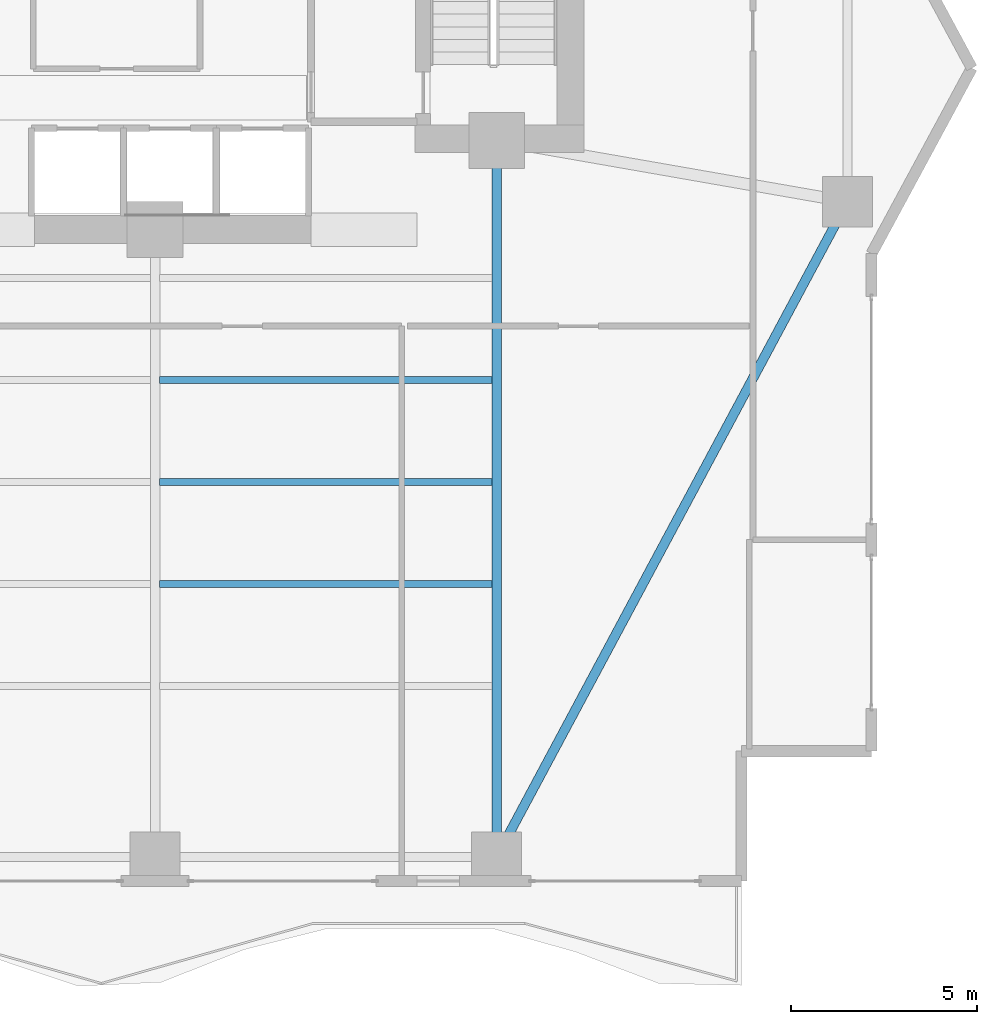
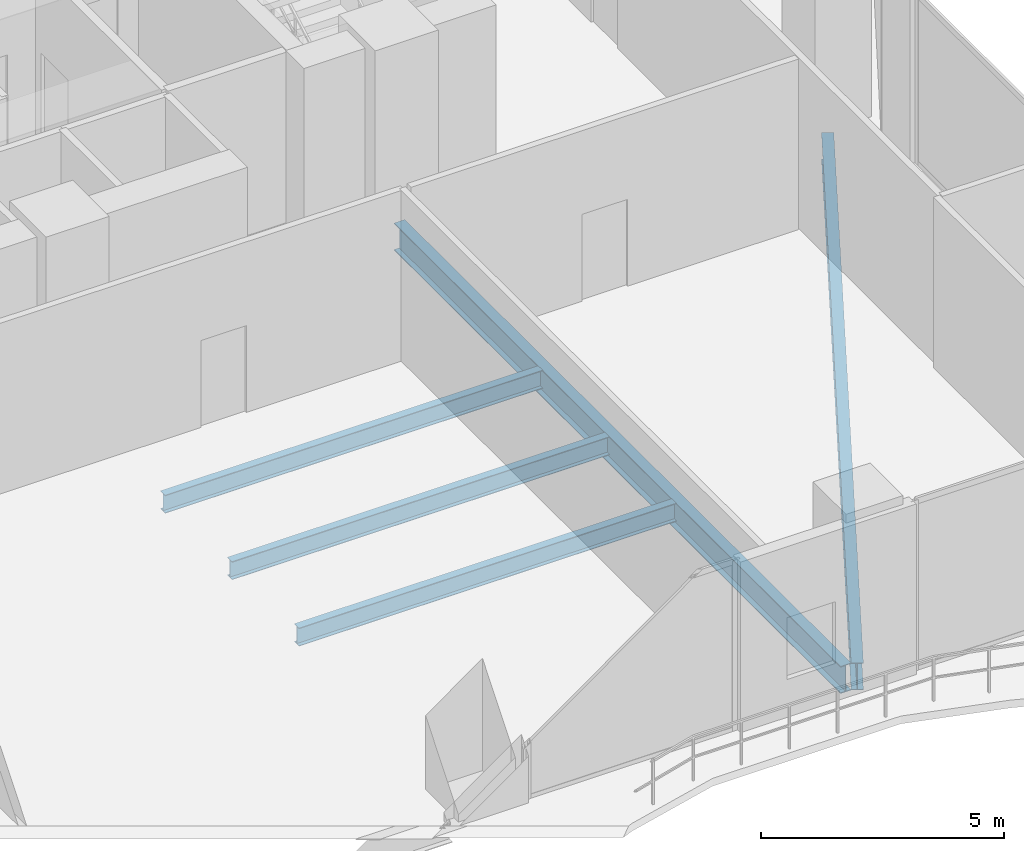
# One storey, part 13 of 33: 5 beams.
"""IFC4 building model written with IfcOpenShell, lengths in metres."""

from ifc_helpers import new_model, si_unit, direction, frame, origin, origin_2d, place, context, subcontext, project, spatial, i_section, extrude, material, material_profile, profile_set, type_object, element, save


model = new_model("IFC4")

# Units and contexts
model_context = context("Model", 3, precision=1e-05, world=origin(), true_north=direction((0.0, 1.0)))
body_context = subcontext(model_context, "Body", "Model", "MODEL_VIEW")
ifc_project = project(units=[si_unit("LENGTHUNIT", "METRE"), si_unit("AREAUNIT", "SQUARE_METRE"), si_unit("VOLUMEUNIT", "CUBIC_METRE"), si_unit("PLANEANGLEUNIT", "RADIAN"), si_unit("MASSUNIT", "GRAM", prefix="KILO")], contexts=[model_context])

# Site, building, storey
site_placement = place(None, origin())
site = spatial("IfcSite", under=ifc_project, at=site_placement, CompositionType="ELEMENT")
building_placement = place(site_placement, origin())
building = spatial("IfcBuilding", under=site, at=building_placement, Name="Zuhayl Quay Hotel", CompositionType="ELEMENT")
storey_placement = place(building_placement, frame((0.0, 0.0, 154.050048828125)))
storey = spatial("IfcBuildingStorey", under=building, at=storey_placement, Name="L39", CompositionType="ELEMENT", Elevation=154.050048828125)

# Beams
ifc_material = material(Name="Steel ASTM A992 Grade 50", Category="steel")
ifc_material_profile_1 = material_profile(ifc_material, i_section(OverallWidth=0.25390625, OverallDepth=0.68310546875, WebThickness=0.012451171875, FlangeThickness=0.018798828125, at=origin_2d()), Name="W27X94")
ifc_profile_set_1 = profile_set([ifc_material_profile_1], Name="Steel ASTM A992 Grade 50")
beam_type_1 = type_object("IfcBeamType", Name="BM_B2_W27X94", PredefinedType="BEAM", material=ifc_profile_set_1)
beam_1_placement = place(storey_placement, frame((14.035888671875, -14.30908203125, -0.5615234375), z_axis=(0.472017301959, 0.88158928456, 0.0), x_axis=(-0.88158928456, 0.472017301959, 0.0)))
element("IfcBeam", 1, at=beam_1_placement, inside=storey, type_object=beam_type_1, Name="L39 Floor Beam RG_L39_04", PredefinedType="BEAM", context=body_context, shape_type="SweptSolid", body=[
    extrude(i_section(OverallWidth=0.25390625, OverallDepth=0.68310546875, WebThickness=0.012451171875, FlangeThickness=0.018798828125, at=origin_2d()), origin(), (0.0, 0.0, 1.0), 19.0205078125),
])
beam_2_placement = place(storey_placement, frame((13.800048828125, -14.25, -0.5615234375), z_axis=(0.0, 1.0, 0.0), x_axis=(-1.0, 0.0, 0.0)))
element("IfcBeam", 2, at=beam_2_placement, inside=storey, type_object=beam_type_1, Name="L39 Floor Beam FG_S_L39_4", PredefinedType="BEAM", context=body_context, shape_type="SweptSolid", body=[
    extrude(i_section(OverallWidth=0.25390625, OverallDepth=0.68310546875, WebThickness=0.012451171875, FlangeThickness=0.018798828125, at=origin_2d()), origin(), (0.0, 0.0, 1.0), 18.35009765625),
])
ifc_material_profile_2 = material_profile(ifc_material, i_section(OverallWidth=0.18994140625, OverallDepth=0.45703125, WebThickness=0.009033203125, FlangeThickness=0.014404296875, at=origin_2d()), Name="W18X50")
ifc_profile_set_2 = profile_set([ifc_material_profile_2], Name="Steel ASTM A992 Grade 50")
beam_type_2 = type_object("IfcBeamType", Name="BM_J2_W18X50", PredefinedType="JOIST", material=ifc_profile_set_2)
for number, where, z_axis, x_axis, name in (
    (3, (4.718994140625, -7.39990234375, -0.448486328125), (1.0, 0.0, 0.0), (0.0, 1.0, 0.0), "L39 Floor Beam FJ_L39_6_3"),
    (4, (4.718994140625, -4.64990234375, -0.448486328125), (1.0, 0.0, 0.0), (0.0, 1.0, 0.0), "L39 Floor Beam FJ_L39_7_3"),
    (5, (4.718994140625, -1.89990234375, -0.448486328125), (1.0, 0.0, 0.0), (0.0, 1.0, 0.0), "L39 Floor Beam FJ_L39_8_3"),
):
    element("IfcBeam", number, at=place(storey_placement, frame(where, z_axis=z_axis, x_axis=x_axis)), inside=storey, type_object=beam_type_2, Name=name, PredefinedType="JOIST", context=body_context, shape_type="SweptSolid", body=[
        extrude(i_section(OverallWidth=0.18994140625, OverallDepth=0.45703125, WebThickness=0.009033203125, FlangeThickness=0.014404296875, at=origin_2d()), origin(), (0.0, 0.0, 1.0), 8.9619140625),
    ])

save(model, "model.ifc")
